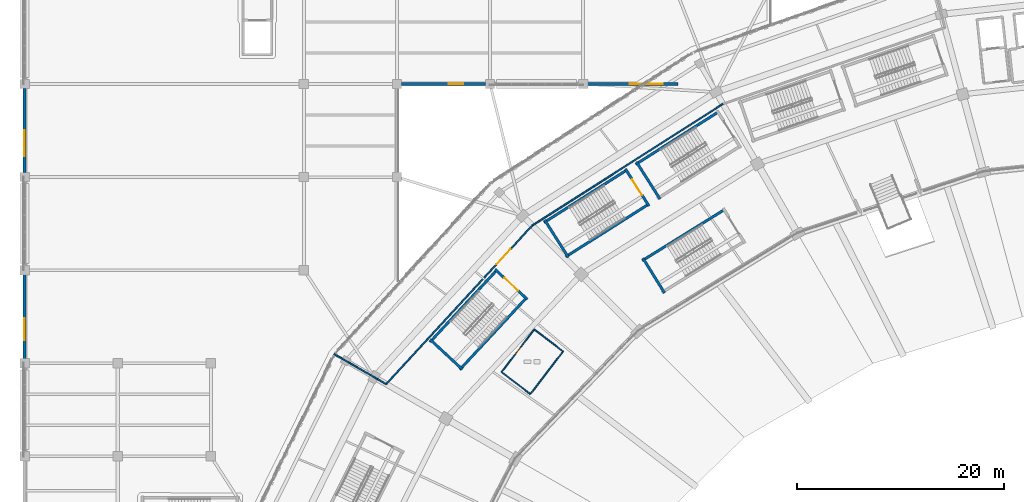
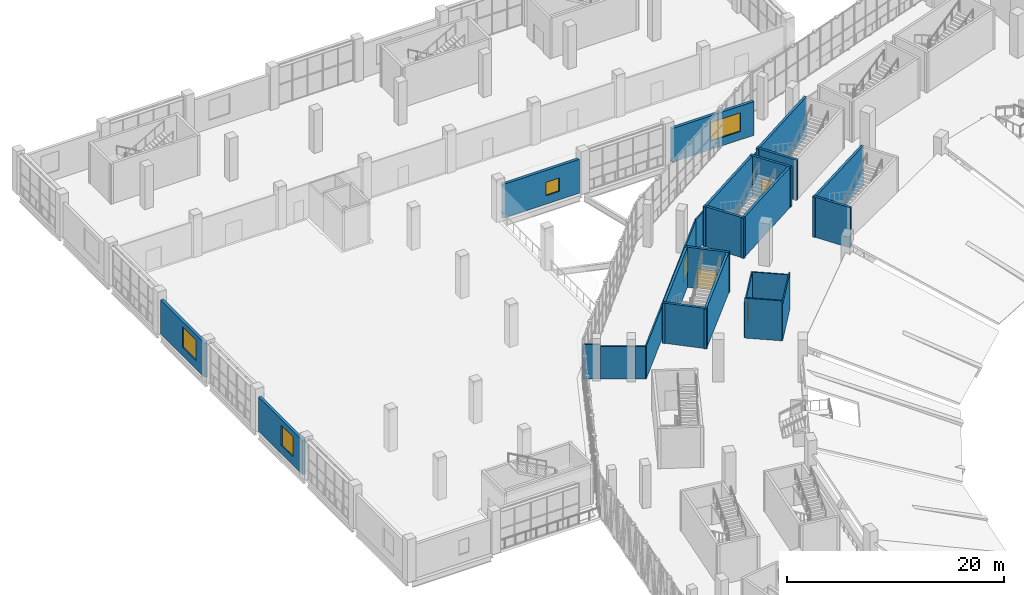
# One storey, part 107 of 183: 25 walls, 4 doors, 4 windows, 8 openings.
"""IFC4 building model written with IfcOpenShell, lengths in metres."""

from ifc_helpers import new_model, si_unit, direction, frame, frame_2d, origin, place, context, subcontext, project, spatial, rectangle, extrude, material, layer, layer_set, type_object, element, fill, save


model = new_model("IFC4")

# Units and contexts
model_context = context("Model", 3, precision=1e-05, world=origin(), true_north=direction((0.0, 1.0)))
body_context = subcontext(model_context, "Body", "Model", "MODEL_VIEW")
ifc_project = project(units=[si_unit("LENGTHUNIT", "METRE"), si_unit("AREAUNIT", "SQUARE_METRE"), si_unit("VOLUMEUNIT", "CUBIC_METRE"), si_unit("PLANEANGLEUNIT", "RADIAN"), si_unit("MASSUNIT", "GRAM", prefix="KILO")], contexts=[model_context])

# Site, building, storey
site_placement = place(None, origin())
site = spatial("IfcSite", under=ifc_project, at=site_placement, CompositionType="ELEMENT")
building_placement = place(site_placement, origin())
building = spatial("IfcBuilding", under=site, at=building_placement, Name="Zevraka Park Crest Stadium", CompositionType="ELEMENT")
storey_placement = place(building_placement, frame((0.0, 0.0, 5.39990234375)))
storey = spatial("IfcBuildingStorey", under=building, at=storey_placement, Name="L01", CompositionType="ELEMENT", Elevation=5.39990234375)

# Wall, opening, window
ifc_material_1 = material(Name="Limestone and red clay brick masonry", Category="masonry")
ifc_layer_1 = layer(ifc_material_1, 0.300048828125)
ifc_layer_set_1 = layer_set([ifc_layer_1], Name="Limestone and red clay brick masonry")
wall_type_1 = type_object("IfcWallType", Name="EW02", PredefinedType="STANDARD", material=ifc_layer_set_1)
wall_1_placement = place(storey_placement, frame((0.0, 131.425048828125, 0.0), z_axis=(0.0, 0.0, 1.0), x_axis=(0.0, 1.0, 0.0)))
wall_1 = element("IfcWall", 1, at=wall_1_placement, inside=storey, type_object=wall_type_1, Name="Wing External Cavity Wall EW02 L01-NW-W-3", PredefinedType="STANDARD", context=body_context, shape_type="SweptSolid", body=[
    extrude(rectangle(XDim=8.14990234375, YDim=0.300048828125, at=frame_2d((4.074951171875, 0.0))), origin(), (0.0, 0.0, 1.0), 3.837158203125),
])
opening_1_placement = place(wall_1_placement, frame((1.777099609375, 0.0, 0.949951171875)))
opening_1 = element("IfcOpeningElement", 2, at=opening_1_placement, cuts=wall_1, Name="Opening WN28", PredefinedType="OPENING", context=body_context, shape_type="SweptSolid", body=[
    extrude(rectangle(XDim=2.14990234375, YDim=2.25, at=frame_2d((1.074951171875, 1.125))), frame((0.0, 0.159912109375, 0.0), z_axis=(0.0, -1.0, 0.0), x_axis=(1.0, 0.0, 0.0)), (0.0, 0.0, 1.0), 0.320068359375),
])
ifc_material_2 = material(Name="Solar-control laminated double glazing in aluminium frame", Category="aluminium")
window_type_1 = type_object("IfcWindowType", Name="WN28", PartitioningType="SINGLE_PANEL", PredefinedType="WINDOW", material=ifc_material_2)
window_1_placement = place(opening_1_placement, origin())
window_1 = element("IfcWindow", 3, at=window_1_placement, inside=storey, type_object=window_type_1, Name="Facade Casement Window WN28 W-L01-028", OverallHeight=2.25, OverallWidth=2.14990234375, PartitioningType="SINGLE_PANEL", PredefinedType="WINDOW", context=body_context, shape_type="SweptSolid", body=[
    extrude(rectangle(XDim=2.14990234375, YDim=2.25, at=frame_2d((1.074951171875, 1.125))), frame((0.0, 0.030029296875, 0.0), z_axis=(0.0, -1.0, 0.0), x_axis=(1.0, 0.0, 0.0)), (0.0, 0.0, 1.0), 0.06005859375),
])
fill(opening_1, window_1)

wall_2_placement = place(storey_placement, frame((0.0, 149.425048828125, 0.0), z_axis=(0.0, 0.0, 1.0), x_axis=(0.0, 1.0, 0.0)))
wall_2 = element("IfcWall", 4, at=wall_2_placement, inside=storey, type_object=wall_type_1, Name="Wing External Cavity Wall EW02 L01-NW-W-5", PredefinedType="STANDARD", context=body_context, shape_type="SweptSolid", body=[
    extrude(rectangle(XDim=8.14990234375, YDim=0.300048828125, at=frame_2d((4.074951171875, 0.0))), origin(), (0.0, 0.0, 1.0), 3.837158203125),
])
opening_2_placement = place(wall_2_placement, frame((1.60205078125, 0.0, 0.949951171875)))
opening_2 = element("IfcOpeningElement", 5, at=opening_2_placement, cuts=wall_2, Name="Opening WN29", PredefinedType="OPENING", context=body_context, shape_type="SweptSolid", body=[
    extrude(rectangle(XDim=2.5, YDim=2.300048828125, at=frame_2d((1.25, 1.14990234375))), frame((0.0, 0.159912109375, 0.0), z_axis=(0.0, -1.0, 0.0), x_axis=(1.0, 0.0, 0.0)), (0.0, 0.0, 1.0), 0.320068359375),
])
ifc_material_3 = material(Name="Solar-control laminated double glazing in aluminium frame", Category="aluminium")
window_type_2 = type_object("IfcWindowType", Name="WN29", PartitioningType="SINGLE_PANEL", PredefinedType="WINDOW", material=ifc_material_3)
window_2_placement = place(opening_2_placement, origin())
window_2 = element("IfcWindow", 6, at=window_2_placement, inside=storey, type_object=window_type_2, Name="Facade Casement Window WN29 W-L01-029", OverallHeight=2.300048828125, OverallWidth=2.5, PartitioningType="SINGLE_PANEL", PredefinedType="WINDOW", context=body_context, shape_type="SweptSolid", body=[
    extrude(rectangle(XDim=2.5, YDim=2.300048828125, at=frame_2d((1.25, 1.14990234375))), frame((0.0, 0.030029296875, 0.0), z_axis=(0.0, -1.0, 0.0), x_axis=(1.0, 0.0, 0.0)), (0.0, 0.0, 1.0), 0.06005859375),
])
fill(opening_2, window_2)

wall_3_placement = place(storey_placement, frame((63.14990234375, 158.0, 0.0), z_axis=(0.0, 0.0, 1.0), x_axis=(-1.0, 0.0, 0.0)))
wall_3 = element("IfcWall", 7, at=wall_3_placement, inside=storey, type_object=wall_type_1, Name="Wing External Cavity Wall EW02 L01-NW-VER1-1", PredefinedType="STANDARD", context=body_context, shape_type="SweptSolid", body=[
    extrude(rectangle(XDim=8.724853515625, YDim=0.300048828125, at=frame_2d((4.3623046875, 0.0))), origin(), (0.0, 0.0, 1.0), 3.8037109375),
])
opening_3_placement = place(wall_3_placement, frame((1.4541015625, 0.0, 0.949951171875)))
opening_3 = element("IfcOpeningElement", 8, at=opening_3_placement, cuts=wall_3, Name="Opening WN14", PredefinedType="OPENING", context=body_context, shape_type="SweptSolid", body=[
    extrude(rectangle(XDim=3.199951171875, YDim=2.10009765625, at=frame_2d((1.60009765625, 1.050048828125))), frame((0.0, 0.159912109375, 0.0), z_axis=(0.0, -1.0, 0.0), x_axis=(1.0, 0.0, 0.0)), (0.0, 0.0, 1.0), 0.320068359375),
])
ifc_material_4 = material(Name="Solar-control laminated double glazing in aluminium frame", Category="aluminium")
window_type_3 = type_object("IfcWindowType", Name="WN14", PartitioningType="SINGLE_PANEL", PredefinedType="WINDOW", material=ifc_material_4)
window_3_placement = place(opening_3_placement, origin())
window_3 = element("IfcWindow", 9, at=window_3_placement, inside=storey, type_object=window_type_3, Name="Facade Casement Window WN14 W-L01-055", OverallHeight=2.10009765625, OverallWidth=3.199951171875, PartitioningType="SINGLE_PANEL", PredefinedType="WINDOW", context=body_context, shape_type="SweptSolid", body=[
    extrude(rectangle(XDim=3.199951171875, YDim=2.10009765625, at=frame_2d((1.60009765625, 1.050048828125))), frame((0.0, 0.030029296875, 0.0), z_axis=(0.0, -1.0, 0.0), x_axis=(1.0, 0.0, 0.0)), (0.0, 0.0, 1.0), 0.06005859375),
])
fill(opening_3, window_3)

wall_4_placement = place(storey_placement, frame((44.574951171875, 158.0, 0.0), z_axis=(0.0, 0.0, 1.0), x_axis=(-1.0, 0.0, 0.0)))
wall_4 = element("IfcWall", 10, at=wall_4_placement, inside=storey, type_object=wall_type_1, Name="Wing External Cavity Wall EW02 L01-NW-VER1-3", PredefinedType="STANDARD", context=body_context, shape_type="SweptSolid", body=[
    extrude(rectangle(XDim=8.14990234375, YDim=0.300048828125, at=frame_2d((4.074951171875, 0.0))), origin(), (0.0, 0.0, 1.0), 3.8037109375),
])
opening_4_placement = place(wall_4_placement, frame((2.153076171875, 0.0, 0.949951171875)))
opening_4 = element("IfcOpeningElement", 11, at=opening_4_placement, cuts=wall_4, Name="Opening WN15", PredefinedType="OPENING", context=body_context, shape_type="SweptSolid", body=[
    extrude(rectangle(XDim=1.39990234375, YDim=1.5, at=frame_2d((0.699951171875, 0.75))), frame((0.0, 0.159912109375, 0.0), z_axis=(0.0, -1.0, 0.0), x_axis=(1.0, 0.0, 0.0)), (0.0, 0.0, 1.0), 0.320068359375),
])
ifc_material_5 = material(Name="Solar-control laminated double glazing in aluminium frame", Category="aluminium")
window_type_4 = type_object("IfcWindowType", Name="WN15", PartitioningType="SINGLE_PANEL", PredefinedType="WINDOW", material=ifc_material_5)
window_4_placement = place(opening_4_placement, origin())
window_4 = element("IfcWindow", 12, at=window_4_placement, inside=storey, type_object=window_type_4, Name="Facade Casement Window WN15 W-L01-056", OverallHeight=1.5, OverallWidth=1.39990234375, PartitioningType="SINGLE_PANEL", PredefinedType="WINDOW", context=body_context, shape_type="SweptSolid", body=[
    extrude(rectangle(XDim=1.39990234375, YDim=1.5, at=frame_2d((0.699951171875, 0.75))), frame((0.0, 0.030029296875, 0.0), z_axis=(0.0, -1.0, 0.0), x_axis=(1.0, 0.0, 0.0)), (0.0, 0.0, 1.0), 0.06005859375),
])
fill(opening_4, window_4)

# Wall
ifc_material_6 = material(Name="Fire-rated twin-stud acoustic drywall", Category="other")
ifc_layer_2 = layer(ifc_material_6, 0.139892578125)
ifc_layer_set_2 = layer_set([ifc_layer_2], Name="Fire-rated twin-stud acoustic drywall")
wall_type_2 = type_object("IfcWallType", Name="IW03", PredefinedType="PARTITIONING", material=ifc_layer_set_2)
wall_5_placement = place(storey_placement, frame((67.510009765625, 156.069091796875, 0.0), z_axis=(0.0, 0.0, 1.0), x_axis=(-0.843035459997, -0.537857986077, 0.0)))
element("IfcWall", 13, at=wall_5_placement, inside=storey, type_object=wall_type_2, Name="Interior Partition IW03 Food and Beverage Concession Hall L01", PredefinedType="PARTITIONING", context=body_context, shape_type="SweptSolid", body=[
    extrude(rectangle(XDim=21.859130859375, YDim=0.139892578125, at=frame_2d((10.9296875, 0.0))), origin(), (0.0, 0.0, 1.0), 3.6650390625),
])

# Wall, opening, door
wall_6_placement = place(storey_placement, frame((49.08203125, 144.31201171875, 0.0), z_axis=(0.0, 0.0, 1.0), x_axis=(-0.678220768878, -0.734858209903, 0.0)))
wall_6 = element("IfcWall", 14, at=wall_6_placement, inside=storey, type_object=wall_type_2, Name="Interior Partition IW03 Food and Beverage Concession Hall L01", PredefinedType="PARTITIONING", context=body_context, shape_type="SweptSolid", body=[
    extrude(rectangle(XDim=20.850341796875, YDim=0.139892578125, at=frame_2d((10.42529296875, 0.0))), origin(), (0.0, 0.0, 1.0), 3.6650390625),
])
opening_5_placement = place(wall_6_placement, frame((3.096923828125, 0.0, 0.0)))
opening_5 = element("IfcOpeningElement", 15, at=opening_5_placement, cuts=wall_6, Name="Opening D-L01-377", PredefinedType="OPENING", context=body_context, shape_type="SweptSolid", body=[
    extrude(rectangle(XDim=2.0, YDim=2.300048828125, at=frame_2d((1.0, 1.14990234375))), frame((0.0, 0.079833984375, 0.0), z_axis=(0.0, -1.0, 0.0), x_axis=(1.0, 0.0, 0.0)), (0.0, 0.0, 1.0), 0.159912109375),
])
ifc_material_7 = material(Name="Solid-core hardwood timber leaf in steel frame", Category="steel")
door_type_1 = type_object("IfcDoorType", Name="DR16", OperationType="NOTDEFINED", PredefinedType="DOOR", material=ifc_material_7)
door_1_placement = place(opening_5_placement, origin())
door_1 = element("IfcDoor", 16, at=door_1_placement, inside=storey, type_object=door_type_1, Name="Food and Beverage Concession Hall Door D-L01-377", OperationType="DOUBLE_DOOR_SINGLE_SWING", OverallHeight=2.300048828125, OverallWidth=2.0, PredefinedType="DOOR", context=body_context, shape_type="SweptSolid", body=[
    extrude(rectangle(XDim=2.0, YDim=2.300048828125, at=frame_2d((1.0, 1.14990234375))), frame((0.0, 0.02490234375, 0.0), z_axis=(0.0, -1.0, 0.0), x_axis=(1.0, 0.0, 0.0)), (0.0, 0.0, 1.0), 0.050048828125),
])
fill(opening_5, door_1)

# Walls
wall_7_placement = place(storey_placement, frame((34.94091796875, 128.989990234375, 0.0), z_axis=(0.0, 0.0, 1.0), x_axis=(-0.866259489079, 0.499594333014, 0.0)))
element("IfcWall", 17, at=wall_7_placement, inside=storey, type_object=wall_type_2, Name="Interior Partition IW03 Food and Beverage Concession Hall L01", PredefinedType="PARTITIONING", context=body_context, shape_type="SweptSolid", body=[
    extrude(rectangle(XDim=0.934814453125, YDim=0.139892578125, at=frame_2d((0.46728515625, 0.0))), origin(), (0.0, 0.0, 1.0), 3.6650390625),
])
wall_8_placement = place(storey_placement, frame((34.14404296875, 129.449951171875, 0.0), z_axis=(0.0, 0.0, 1.0), x_axis=(-0.865933264325, 0.500159556277, 0.0)))
element("IfcWall", 18, at=wall_8_placement, inside=storey, type_object=wall_type_2, Name="Interior Partition IW03 Food and Beverage Concession Hall L01", PredefinedType="PARTITIONING", context=body_context, shape_type="SweptSolid", body=[
    extrude(rectangle(XDim=3.2392578125, YDim=0.139892578125, at=frame_2d((1.61962890625, 0.0))), origin(), (0.0, 0.0, 1.0), 3.6650390625),
])
wall_9_placement = place(storey_placement, frame((31.35205078125, 131.06201171875, 0.0), z_axis=(0.0, 0.0, 1.0), x_axis=(-0.866010893236, 0.500025132165, 0.0)))
element("IfcWall", 19, at=wall_9_placement, inside=storey, type_object=wall_type_2, Name="Interior Partition IW03 Food and Beverage Concession Hall L01", PredefinedType="PARTITIONING", context=body_context, shape_type="SweptSolid", body=[
    extrude(rectangle(XDim=1.67578125, YDim=0.139892578125, at=frame_2d((0.837890625, 0.0))), origin(), (0.0, 0.0, 1.0), 3.9150390625),
])
ifc_material_8 = material(Name="Moisture-resistant sanitary partition", Category="other")
ifc_layer_3 = layer(ifc_material_8, 0.1201171875)
ifc_layer_set_3 = layer_set([ifc_layer_3], Name="Moisture-resistant sanitary partition")
wall_type_3 = type_object("IfcWallType", Name="IW04", PredefinedType="PARTITIONING", material=ifc_layer_set_3)
wall_10_placement = place(storey_placement, frame((52.05810546875, 132.14111328125, 0.0), z_axis=(0.0, 0.0, 1.0), x_axis=(-0.608625688463, -0.793457479228, 0.0)))
element("IfcWall", 20, at=wall_10_placement, inside=storey, type_object=wall_type_3, Name="Sanitary Enclosure Wall IW04 Female WC L01-002-1", PredefinedType="PARTITIONING", context=body_context, shape_type="SweptSolid", body=[
    extrude(rectangle(XDim=5.2001953125, YDim=0.1201171875, at=frame_2d((2.60009765625, 0.0))), origin(), (0.0, 0.0, 1.0), 4.087158203125),
])
wall_11_placement = place(storey_placement, frame((48.89306640625, 128.014892578125, 0.0), z_axis=(0.0, 0.0, 1.0), x_axis=(-0.793331259853, 0.608790203715, 0.0)))
element("IfcWall", 21, at=wall_11_placement, inside=storey, type_object=wall_type_3, Name="Sanitary Enclosure Wall IW04 Female WC L01-002-2", PredefinedType="PARTITIONING", context=body_context, shape_type="SweptSolid", body=[
    extrude(rectangle(XDim=3.50048828125, YDim=0.1201171875, at=frame_2d((1.750244140625, 0.0))), origin(), (0.0, 0.0, 1.0), 4.5),
])

# Wall, opening, door
wall_12_placement = place(storey_placement, frame((46.115966796875, 130.14599609375, 0.0), z_axis=(0.0, 0.0, 1.0), x_axis=(0.608739062155, 0.793370502481, 0.0)))
wall_12 = element("IfcWall", 22, at=wall_12_placement, inside=storey, type_object=wall_type_3, Name="Sanitary Enclosure Wall IW04 Female WC L01-002-3", PredefinedType="PARTITIONING", context=body_context, shape_type="SweptSolid", body=[
    extrude(rectangle(XDim=5.19921875, YDim=0.1201171875, at=frame_2d((2.599609375, 0.0))), origin(), (0.0, 0.0, 1.0), 3.815185546875),
])
opening_6_placement = place(wall_12_placement, frame((2.139892578125, 0.0, 0.0)))
opening_6 = element("IfcOpeningElement", 23, at=opening_6_placement, cuts=wall_12, Name="Opening D-L01-341", PredefinedType="OPENING", context=body_context, shape_type="SweptSolid", body=[
    extrude(rectangle(XDim=0.919921875, YDim=2.14990234375, at=frame_2d((0.4599609375, 1.074951171875))), frame((0.0, 0.070068359375, 0.0), z_axis=(0.0, -1.0, 0.0), x_axis=(1.0, 0.0, 0.0)), (0.0, 0.0, 1.0), 0.14013671875),
])
ifc_material_9 = material(Name="Solid-core hardwood timber leaf in steel frame", Category="steel")
door_type_2 = type_object("IfcDoorType", Name="DR20", OperationType="NOTDEFINED", PredefinedType="DOOR", material=ifc_material_9)
door_2_placement = place(opening_6_placement, origin())
door_2 = element("IfcDoor", 24, at=door_2_placement, inside=storey, type_object=door_type_2, Name="Female WC Door D-L01-341", OperationType="SINGLE_SWING_LEFT", OverallHeight=2.14990234375, OverallWidth=0.919921875, PredefinedType="DOOR", context=body_context, shape_type="SweptSolid", body=[
    extrude(rectangle(XDim=0.919921875, YDim=2.14990234375, at=frame_2d((0.4599609375, 1.074951171875))), frame((0.0, 0.02490234375, 0.0), z_axis=(0.0, -1.0, 0.0), x_axis=(1.0, 0.0, 0.0)), (0.0, 0.0, 1.0), 0.050048828125),
])
fill(opening_6, door_2)

# Walls
wall_13_placement = place(storey_placement, frame((49.281005859375, 134.27099609375, 0.0), z_axis=(0.0, 0.0, 1.0), x_axis=(0.793499685907, -0.608570660207, 0.0)))
element("IfcWall", 25, at=wall_13_placement, inside=storey, type_object=wall_type_3, Name="Sanitary Enclosure Wall IW04 Female WC L01-002-4", PredefinedType="PARTITIONING", context=body_context, shape_type="SweptSolid", body=[
    extrude(rectangle(XDim=3.499755859375, YDim=0.1201171875, at=frame_2d((1.75, 0.0))), origin(), (0.0, 0.0, 1.0), 3.815185546875),
])
ifc_material_10 = material(Name="Concrete C40/50", Category="concrete")
ifc_layer_4 = layer(ifc_material_10, 0.25)
ifc_layer_set_4 = layer_set([ifc_layer_4], Name="Concrete C40/50")
wall_type_4 = type_object("IfcWallType", Name="SW01", PredefinedType="SHEAR", material=ifc_layer_set_4)
wall_14_placement = place(storey_placement, frame((67.147216796875, 155.343505859375, 0.0), z_axis=(0.0, 0.0, 1.0), x_axis=(-0.844391246241, -0.535727004427, 0.0)))
element("IfcWall", 26, at=wall_14_placement, inside=storey, type_object=wall_type_4, Name="Stair Core Shear Wall SW01 ST09 L01 left", PredefinedType="SHEAR", context=body_context, shape_type="SweptSolid", body=[
    extrude(rectangle(XDim=9.550048828125, YDim=0.25, at=frame_2d((4.77490234375, 0.0))), origin(), (0.0, 0.0, 1.0), 4.52001953125),
])
wall_15_placement = place(storey_placement, frame((59.1484375, 150.469970703125, 0.0), z_axis=(0.0, 0.0, 1.0), x_axis=(0.53572544074, -0.844392238325, 0.0)))
element("IfcWall", 27, at=wall_15_placement, inside=storey, type_object=wall_type_4, Name="Stair Core Shear Wall SW01 ST09 L01 far", PredefinedType="SHEAR", context=body_context, shape_type="SweptSolid", body=[
    extrude(rectangle(XDim=4.260009765625, YDim=0.25, at=frame_2d((2.1298828125, 0.0))), origin(), (0.0, 0.0, 1.0), 4.52001953125),
])
wall_16_placement = place(storey_placement, frame((45.6943359375, 140.047607421875, 0.0), z_axis=(0.0, 0.0, 1.0), x_axis=(-0.680257902718, -0.7329728411, 0.0)))
element("IfcWall", 28, at=wall_16_placement, inside=storey, type_object=wall_type_4, Name="Stair Core Shear Wall SW01 ST10 L01 left", PredefinedType="SHEAR", context=body_context, shape_type="SweptSolid", body=[
    extrude(rectangle(XDim=9.5498046875, YDim=0.25, at=frame_2d((4.77490234375, 0.0))), origin(), (0.0, 0.0, 1.0), 4.52001953125),
])
wall_17_placement = place(storey_placement, frame((42.0712890625, 130.381103515625, 0.0), z_axis=(0.0, 0.0, 1.0), x_axis=(0.680245155897, 0.732984670971, 0.0)))
element("IfcWall", 29, at=wall_17_placement, inside=storey, type_object=wall_type_4, Name="Stair Core Shear Wall SW01 ST10 L01 right", PredefinedType="SHEAR", context=body_context, shape_type="SweptSolid", body=[
    extrude(rectangle(XDim=9.550048828125, YDim=0.25, at=frame_2d((4.77490234375, 0.0))), origin(), (0.0, 0.0, 1.0), 4.52001953125),
])

# Wall, opening, door
wall_18_placement = place(storey_placement, frame((48.607177734375, 137.173828125, 0.0), z_axis=(0.0, 0.0, 1.0), x_axis=(-0.73295064559, 0.680281817433, 0.0)))
wall_18 = element("IfcWall", 30, at=wall_18_placement, inside=storey, type_object=wall_type_4, Name="Stair Core Shear Wall SW01 ST10 L01 near", PredefinedType="SHEAR", context=body_context, shape_type="SweptSolid", body=[
    extrude(rectangle(XDim=4.260009765625, YDim=0.25, at=frame_2d((2.1298828125, 0.0))), origin(), (0.0, 0.0, 1.0), 4.52001953125),
])
opening_7_placement = place(wall_18_placement, frame((1.22998046875, 0.0, 0.0)))
opening_7 = element("IfcOpeningElement", 31, at=opening_7_placement, cuts=wall_18, Name="Opening D-L01-059", PredefinedType="OPENING", context=body_context, shape_type="SweptSolid", body=[
    extrude(rectangle(XDim=1.800048828125, YDim=2.25, at=frame_2d((0.89990234375, 1.125))), frame((0.0, 0.135009765625, 0.0), z_axis=(0.0, -1.0, 0.0), x_axis=(1.0, 0.0, 0.0)), (0.0, 0.0, 1.0), 0.27001953125),
])
ifc_material_11 = material(Name="Solid-core hardwood timber leaf in steel frame", Category="steel")
door_type_3 = type_object("IfcDoorType", Name="DR04", OperationType="NOTDEFINED", PredefinedType="DOOR", material=ifc_material_11)
door_3_placement = place(opening_7_placement, origin())
door_3 = element("IfcDoor", 32, at=door_3_placement, inside=storey, type_object=door_type_3, Name="Protected Stair Entry Door ST10 L01", OperationType="DOUBLE_DOOR_SINGLE_SWING", OverallHeight=2.25, OverallWidth=1.800048828125, PredefinedType="DOOR", context=body_context, shape_type="SweptSolid", body=[
    extrude(rectangle(XDim=1.800048828125, YDim=2.25, at=frame_2d((0.89990234375, 1.125))), frame((0.0, 0.02490234375, 0.0), z_axis=(0.0, -1.0, 0.0), x_axis=(1.0, 0.0, 0.0)), (0.0, 0.0, 1.0), 0.050048828125),
])
fill(opening_7, door_3)

# Walls
wall_19_placement = place(storey_placement, frame((39.19921875, 133.299072265625, 0.0), z_axis=(0.0, 0.0, 1.0), x_axis=(0.732977166505, -0.680253242096, 0.0)))
element("IfcWall", 33, at=wall_19_placement, inside=storey, type_object=wall_type_4, Name="Stair Core Shear Wall SW01 ST10 L01 far", PredefinedType="SHEAR", context=body_context, shape_type="SweptSolid", body=[
    extrude(rectangle(XDim=4.260009765625, YDim=0.25, at=frame_2d((2.1298828125, 0.0))), origin(), (0.0, 0.0, 1.0), 4.52001953125),
])
for number, where, z_axis, x_axis, name in (
    (34, (58.28125, 149.718505859375, 0.0), (0.0, 0.0, 1.0), (-0.844391246241, -0.535727004427, 0.0), "Stair Core Shear Wall SW01 ST28 L01 left"),
    (35, (52.3173828125, 141.292236328125, 0.0), (0.0, 0.0, 1.0), (0.844391246241, 0.535727004427, 0.0), "Stair Core Shear Wall SW01 ST28 L01 right"),
):
    element("IfcWall", number, at=place(storey_placement, frame(where, z_axis=z_axis, x_axis=x_axis)), inside=storey, type_object=wall_type_4, Name=name, PredefinedType="SHEAR", context=body_context, shape_type="SweptSolid", body=[
        extrude(rectangle(XDim=9.550048828125, YDim=0.25, at=frame_2d((4.77490234375, 0.0))), origin(), (0.0, 0.0, 1.0), 4.52001953125),
    ])

# Wall, opening, door
wall_20_placement = place(storey_placement, frame((60.36669921875, 146.197998046875, 0.0), z_axis=(0.0, 0.0, 1.0), x_axis=(-0.535684577572, 0.844418162613, 0.0)))
wall_20 = element("IfcWall", 36, at=wall_20_placement, inside=storey, type_object=wall_type_4, Name="Stair Core Shear Wall SW01 ST28 L01 near", PredefinedType="SHEAR", context=body_context, shape_type="SweptSolid", body=[
    extrude(rectangle(XDim=4.260009765625, YDim=0.25, at=frame_2d((2.1298828125, 0.0))), origin(), (0.0, 0.0, 1.0), 4.52001953125),
])
opening_8_placement = place(wall_20_placement, frame((1.22998046875, 0.0, 0.0)))
opening_8 = element("IfcOpeningElement", 37, at=opening_8_placement, cuts=wall_20, Name="Opening D-L01-162", PredefinedType="OPENING", context=body_context, shape_type="SweptSolid", body=[
    extrude(rectangle(XDim=1.800048828125, YDim=2.25, at=frame_2d((0.89990234375, 1.125))), frame((0.0, 0.135009765625, 0.0), z_axis=(0.0, -1.0, 0.0), x_axis=(1.0, 0.0, 0.0)), (0.0, 0.0, 1.0), 0.27001953125),
])
door_4_placement = place(opening_8_placement, origin())
door_4 = element("IfcDoor", 38, at=door_4_placement, inside=storey, type_object=door_type_3, Name="Protected Stair Entry Door ST28 L01", OperationType="DOUBLE_DOOR_SINGLE_SWING", OverallHeight=2.25, OverallWidth=1.800048828125, PredefinedType="DOOR", context=body_context, shape_type="SweptSolid", body=[
    extrude(rectangle(XDim=1.800048828125, YDim=2.25, at=frame_2d((0.89990234375, 1.125))), frame((0.0, 0.02490234375, 0.0), z_axis=(0.0, -1.0, 0.0), x_axis=(1.0, 0.0, 0.0)), (0.0, 0.0, 1.0), 0.050048828125),
])
fill(opening_8, door_4)

# Walls
wall_21_placement = place(storey_placement, frame((50.282470703125, 144.844970703125, 0.0), z_axis=(0.0, 0.0, 1.0), x_axis=(0.535684577572, -0.844418162613, 0.0)))
element("IfcWall", 39, at=wall_21_placement, inside=storey, type_object=wall_type_4, Name="Stair Core Shear Wall SW01 ST28 L01 far", PredefinedType="SHEAR", context=body_context, shape_type="SweptSolid", body=[
    extrude(rectangle(XDim=4.260009765625, YDim=0.25, at=frame_2d((2.1298828125, 0.0))), origin(), (0.0, 0.0, 1.0), 4.52001953125),
])
wall_22_placement = place(storey_placement, frame((67.7421875, 145.898681640625, 0.0), z_axis=(0.0, 0.0, 1.0), x_axis=(-0.849696444565, -0.527272180277, 0.0)))
element("IfcWall", 40, at=wall_22_placement, inside=storey, type_object=wall_type_4, Name="Stair Core Shear Wall SW01 ST37 L01 left", PredefinedType="SHEAR", context=body_context, shape_type="SweptSolid", body=[
    extrude(rectangle(XDim=9.449951171875, YDim=0.25, at=frame_2d((4.72509765625, 0.0))), origin(), (0.0, 0.0, 1.0), 4.52001953125),
])
wall_23_placement = place(storey_placement, frame((59.7802734375, 141.157958984375, 0.0), z_axis=(0.0, 0.0, 1.0), x_axis=(0.527258497125, -0.84970493538, 0.0)))
element("IfcWall", 41, at=wall_23_placement, inside=storey, type_object=wall_type_4, Name="Stair Core Shear Wall SW01 ST37 L01 far", PredefinedType="SHEAR", context=body_context, shape_type="SweptSolid", body=[
    extrude(rectangle(XDim=3.9599609375, YDim=0.25, at=frame_2d((1.97998046875, 0.0))), origin(), (0.0, 0.0, 1.0), 4.52001953125),
])

save(model, "model.ifc")
